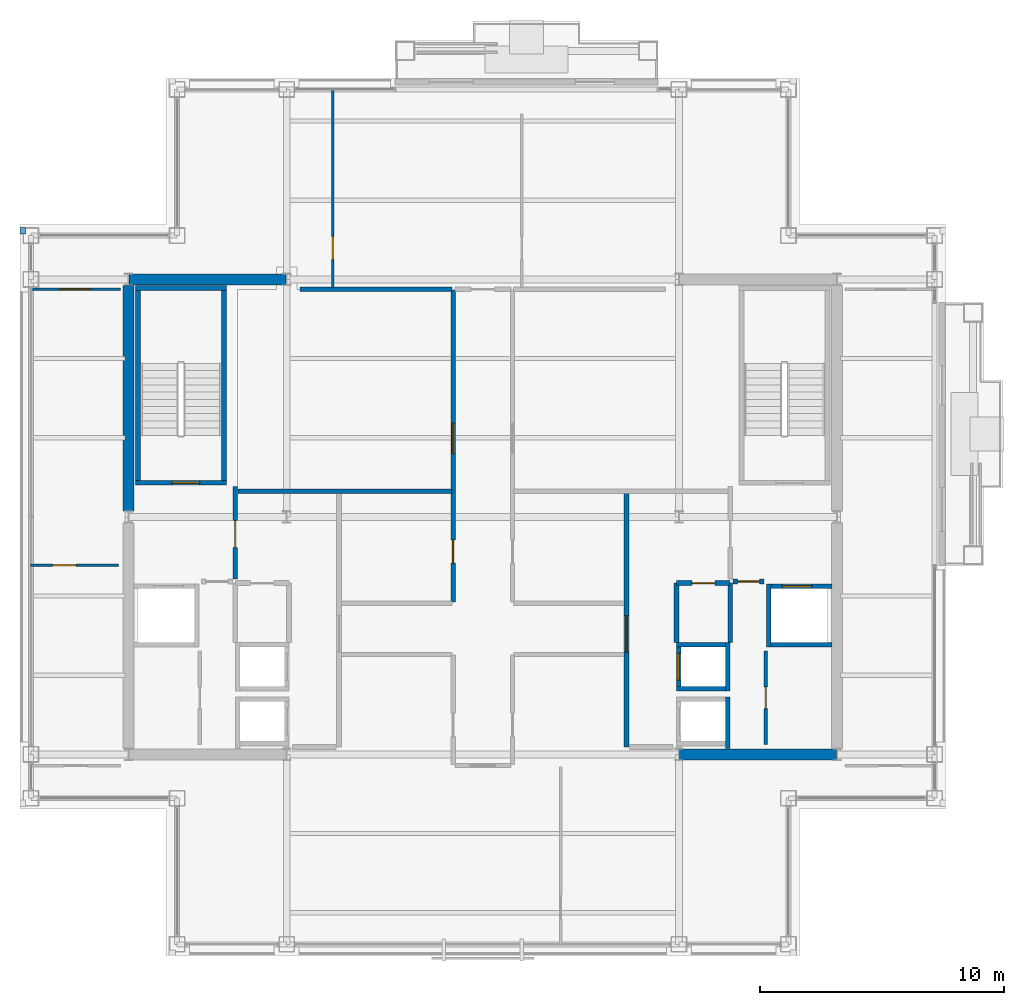
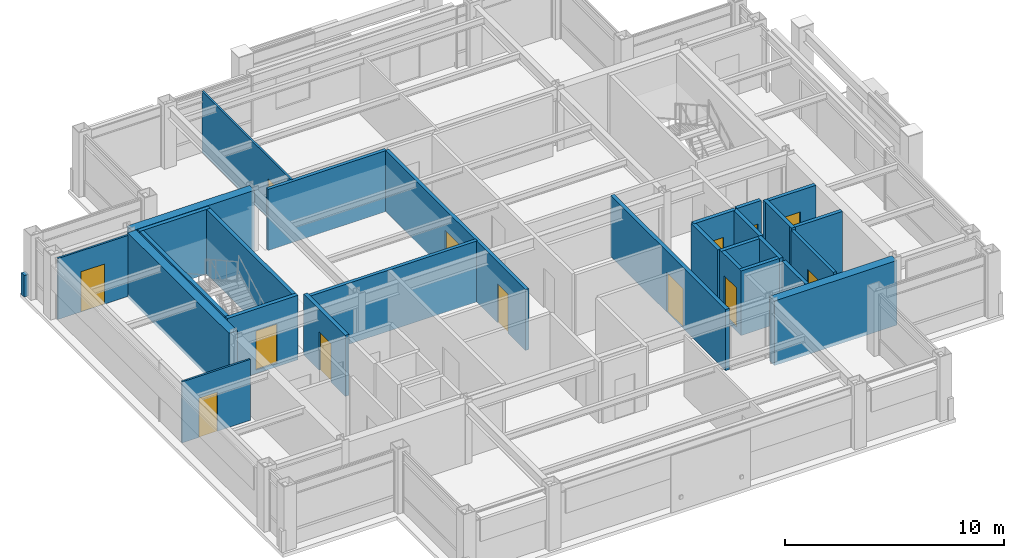
# One storey, part 20 of 23: 29 walls, 13 doors, 13 openings.
"""IFC4 building model written with IfcOpenShell, lengths in metres."""

import ifcopenshell
import ifcopenshell.guid

model = None  # the IFC model being written
_history = None  # IfcOwnerHistory: only IFC2X3 demands one
_inside = {}  # id of a spatial element -> (the spatial element, [elements in it])
_under = {}  # id of a project, library or spatial element -> (it, [spatial elements below it])
_declared = {}  # id of a project -> (the project, [libraries it declares])
_typed = {}  # id of a type object -> (the type object, [elements of that type])
_made_of = {}  # id of a material, layer set ... -> (it, [elements and type objects made of it])


def new_model(schema):
    """Start an empty IFC model of exactly this schema.

    Asked for "IFC4X3", IfcOpenShell would pick the latest addendum, in which some entities
    have other attributes; the version numbers below select the first issue.
    IFC2X3 requires an IfcOwnerHistory on every rooted entity: one is made here for all.
    """
    global model, _history
    if schema == "IFC4X3":
        model = ifcopenshell.file(schema_version=(4, 3, 0, 0))
    else:
        model = ifcopenshell.file(schema=schema)
    _inside.clear()
    _under.clear()
    _declared.clear()
    _typed.clear()
    _made_of.clear()
    _history = None
    if model.schema == "IFC2X3":
        org = make("IfcOrganization", Name="unknown")
        user = make(
            "IfcPersonAndOrganization",
            ThePerson=make("IfcPerson", FamilyName="unknown"),
            TheOrganization=org,
        )
        app = make(
            "IfcApplication",
            ApplicationDeveloper=org,
            Version="unknown",
            ApplicationFullName="unknown",
            ApplicationIdentifier="unknown",
        )
        _history = make(
            "IfcOwnerHistory",
            OwningUser=user,
            OwningApplication=app,
            ChangeAction="ADDED",
            CreationDate=0,
        )
    return model


def make(cls, **values):
    """One entity of the class cls with the attributes given. An attribute that is None is left unset."""
    return model.create_entity(
        cls, **{name: value for name, value in values.items() if value is not None}
    )


def rooted(cls, **values):
    """An entity with a GlobalId (a new one), such as an element, a storey or a relation."""
    return make(cls, GlobalId=ifcopenshell.guid.new(), OwnerHistory=_history, **values)


def si_unit(unit_type, name, prefix=None):
    """IfcSIUnit, for example si_unit("LENGTHUNIT", "METRE", prefix="MILLI")."""
    return make("IfcSIUnit", UnitType=unit_type, Prefix=prefix, Name=name)


def assignment(units):
    """IfcUnitAssignment: the units of a project."""
    return None if units is None else make("IfcUnitAssignment", Units=units)


def point(xyz):
    """IfcCartesianPoint."""
    return None if xyz is None else make("IfcCartesianPoint", Coordinates=xyz)


def direction(xyz):
    """IfcDirection."""
    return None if xyz is None else make("IfcDirection", DirectionRatios=xyz)


def frame(location, z_axis=None, x_axis=None):
    """IfcAxis2Placement3D, a coordinate frame: its origin and axes. An axis left out is left unset."""
    return make(
        "IfcAxis2Placement3D",
        Location=point(location),
        Axis=direction(z_axis),
        RefDirection=direction(x_axis),
    )


def frame_2d(location, x_axis=None):
    """IfcAxis2Placement2D, a coordinate frame in the plane: its origin and x axis."""
    return make(
        "IfcAxis2Placement2D", Location=point(location), RefDirection=direction(x_axis)
    )


def origin():
    """The frame at (0, 0, 0) with its axes left unset."""
    return frame((0.0, 0.0, 0.0))


def place(relative_to, where):
    """IfcLocalPlacement: puts the frame where relative to a parent placement (None: the world)."""
    return make(
        "IfcLocalPlacement", PlacementRelTo=relative_to, RelativePlacement=where
    )


def context(
    kind, dimensions, precision=None, world=None, true_north=None, identifier=None
):
    """IfcGeometricRepresentationContext, for example the 3D "Model" context."""
    return make(
        "IfcGeometricRepresentationContext",
        ContextIdentifier=identifier,
        ContextType=kind,
        CoordinateSpaceDimension=dimensions,
        Precision=precision,
        WorldCoordinateSystem=world,
        TrueNorth=true_north,
    )


def subcontext(parent, identifier, kind, view, scale=None):
    """IfcGeometricRepresentationSubContext, for example "Body" below "Model"."""
    return make(
        "IfcGeometricRepresentationSubContext",
        ContextIdentifier=identifier,
        ContextType=kind,
        ParentContext=parent,
        TargetScale=scale,
        TargetView=view,
    )


def project(units=None, contexts=None):
    """IfcProject with its units and contexts."""
    return rooted(
        "IfcProject",
        Name="project",
        RepresentationContexts=contexts,
        UnitsInContext=assignment(units),
    )


def spatial(cls, under=None, at=None, **own):
    """A site, building, storey or space (cls), placed at a placement, below another one or the project."""
    s = rooted(cls, ObjectPlacement=at, **own)
    if under is not None:
        _under.setdefault(under.id(), (under, []))[1].append(s)
    return s


def profile(cls, at=None, kind="AREA", **sizes):
    """A parametric profile (cls). Its sizes go by their IFC names, for example OverallWidth=200.0."""
    return make(cls, ProfileType=kind, Position=at, **sizes)


def rectangle(**sizes):
    """IfcRectangleProfileDef."""
    return profile("IfcRectangleProfileDef", **sizes)


def extrude(swept, where, along, depth):
    """IfcExtrudedAreaSolid: the profile swept, set in the frame where, extruded along a direction by depth."""
    return make(
        "IfcExtrudedAreaSolid",
        SweptArea=swept,
        Position=where,
        ExtrudedDirection=direction(along),
        Depth=depth,
    )


def shape(context_of_items, identifier, shape_type, items):
    """IfcShapeRepresentation: the items that make up one representation, for example the "Body"."""
    return make(
        "IfcShapeRepresentation",
        ContextOfItems=context_of_items,
        RepresentationIdentifier=identifier,
        RepresentationType=shape_type,
        Items=items,
    )


def material(Name=None, Category=None):
    """IfcMaterial."""
    return make("IfcMaterial", Name=Name, Category=Category)


def layer(
    of_material, thickness, ventilated=None, Name=None, Category=None, Priority=None
):
    """IfcMaterialLayer: one layer of a wall or slab, of a material (None: an air gap)."""
    return make(
        "IfcMaterialLayer",
        Material=of_material,
        LayerThickness=thickness,
        IsVentilated=ventilated,
        Name=Name,
        Category=Category,
        Priority=Priority,
    )


def layer_set(layers, Name=None):
    """IfcMaterialLayerSet."""
    return make("IfcMaterialLayerSet", MaterialLayers=layers, LayerSetName=Name)


def made_of(thing, what):
    """Note that an element or type object is made of a material, layer set ...; save() writes the relation."""
    if what is not None:
        _made_of.setdefault(what.id(), (what, []))[1].append(thing)
    return thing


def type_object(cls, material=None, **own):
    """A type object (cls), such as IfcWallType, which elements share."""
    return made_of(rooted(cls, **own), material)


def element(
    cls,
    number,
    at=None,
    inside=None,
    cuts=None,
    type_object=None,
    material=None,
    context=None,
    identifier="Body",
    shape_type=None,
    held_by="IfcProductDefinitionShape",
    body=None,
    shapes=None,
    **own,
):
    """One element of the class cls, such as IfcWall. Its Tag is "e" and its number.

    at: its placement. inside: the storey or other place that contains it. cuts: it is an
    opening in that element (IfcRelVoidsElement). A single representation is given by context,
    identifier, shape_type and body (its items); several are given by shapes. held_by: the class
    of the entity that holds the representations. save() writes the other relations.
    """
    e = rooted(cls, Tag="e%d" % number, ObjectPlacement=at, **own)
    if body is not None:
        shapes = [shape(context, identifier, shape_type, body)]
    if shapes is not None:
        e.Representation = make(held_by, Representations=shapes)
    if inside is not None:
        _inside.setdefault(inside.id(), (inside, []))[1].append(e)
    if cuts is not None:
        rooted(
            "IfcRelVoidsElement", RelatingBuildingElement=cuts, RelatedOpeningElement=e
        )
    if type_object is not None:
        _typed.setdefault(type_object.id(), (type_object, []))[1].append(e)
    return made_of(e, material)


def fill(opening, filler):
    """IfcRelFillsElement: the door or window that sits in an opening."""
    return rooted(
        "IfcRelFillsElement",
        RelatingOpeningElement=opening,
        RelatedBuildingElement=filler,
    )


def aggregate(whole, parts):
    """IfcRelAggregates: a whole, such as a stair, and the parts it consists of."""
    return rooted("IfcRelAggregates", RelatingObject=whole, RelatedObjects=parts)


def save(model, path):
    """Write the relations noted so far, then the file.

    IfcRelAggregates (storeys below a building ...), IfcRelContainedInSpatialStructure (elements
    in a storey), IfcRelDefinesByType, IfcRelAssociatesMaterial and IfcRelDeclares: one each for
    every whole, place, type object, material and project.
    """
    for whole, parts in _under.values():
        aggregate(whole, parts)
    for where, things in _inside.values():
        rooted(
            "IfcRelContainedInSpatialStructure",
            RelatedElements=things,
            RelatingStructure=where,
        )
    for kind, things in _typed.values():
        rooted("IfcRelDefinesByType", RelatedObjects=things, RelatingType=kind)
    for what, things in _made_of.values():
        rooted("IfcRelAssociatesMaterial", RelatedObjects=things, RelatingMaterial=what)
    for by, libraries in _declared.values():
        rooted("IfcRelDeclares", RelatingContext=by, RelatedDefinitions=libraries)
    model.write(path)


model = new_model("IFC4")

# Units and contexts
model_context = context("Model", 3, precision=1e-05, world=origin(), true_north=direction((0.0, 1.0)))
body_context = subcontext(model_context, "Body", "Model", "MODEL_VIEW")
ifc_project = project(units=[si_unit("LENGTHUNIT", "METRE"), si_unit("AREAUNIT", "SQUARE_METRE"), si_unit("VOLUMEUNIT", "CUBIC_METRE"), si_unit("PLANEANGLEUNIT", "RADIAN"), si_unit("MASSUNIT", "GRAM", prefix="KILO")], contexts=[model_context])

# Site, building, storey
site_placement = place(None, origin())
site = spatial("IfcSite", under=ifc_project, at=site_placement, CompositionType="ELEMENT")
building_placement = place(site_placement, origin())
building = spatial("IfcBuilding", under=site, at=building_placement, Name="Brelmoor Portico Tower", CompositionType="ELEMENT")
storey_placement = place(building_placement, frame((0.0, 0.0, 222.0)))
storey = spatial("IfcBuildingStorey", under=building, at=storey_placement, Name="L58", CompositionType="ELEMENT", Elevation=222.0)

# Walls
ifc_material_1 = material(Name="Concrete C50", Category="concrete")
ifc_layer_1 = layer(ifc_material_1, 0.449951171875)
ifc_layer_set_1 = layer_set([ifc_layer_1], Name="Concrete C50")
wall_type_1 = type_object("IfcWallType", Name="WL-CORE-450", PredefinedType="SHEAR", material=ifc_layer_set_1)
wall_1_placement = place(storey_placement, frame((-14.530029296875, 9.75, -0.199951171875), z_axis=(0.0, 0.0, 1.0), x_axis=(1.0, 0.0, 0.0)))
element("IfcWall", 1, at=wall_1_placement, inside=storey, type_object=wall_type_1, Name="L58 WC North Shear Wall", PredefinedType="SHEAR", context=body_context, shape_type="SweptSolid", body=[
    extrude(rectangle(XDim=6.4599609375, YDim=0.449951171875, at=frame_2d((3.22998046875, 0.0))), origin(), (0.0, 0.0, 1.0), 3.599853515625),
])
wall_2_placement = place(storey_placement, frame((-14.550048828125, 0.25, -0.199951171875), z_axis=(0.0, 0.0, 1.0), x_axis=(0.0, 1.0, 0.0)))
element("IfcWall", 2, at=wall_2_placement, inside=storey, type_object=wall_type_1, Name="L58 WC Outer North Shear Wall", PredefinedType="SHEAR", context=body_context, shape_type="SweptSolid", body=[
    extrude(rectangle(XDim=9.25, YDim=0.449951171875, at=frame_2d((4.625, 0.0))), origin(), (0.0, 0.0, 1.0), 3.599853515625),
])
wall_3_placement = place(storey_placement, frame((8.070068359375, -9.75, -0.199951171875), z_axis=(0.0, 0.0, 1.0), x_axis=(1.0, 0.0, 0.0)))
element("IfcWall", 3, at=wall_3_placement, inside=storey, type_object=wall_type_1, Name="L58 EC South Shear Wall", PredefinedType="SHEAR", context=body_context, shape_type="SweptSolid", body=[
    extrude(rectangle(XDim=6.4599609375, YDim=0.449951171875, at=frame_2d((3.22998046875, 0.0))), origin(), (0.0, 0.0, 1.0), 3.599853515625),
])
ifc_material_2 = material(Name="Concrete C40 Parapet Upstand", Category="concrete")
ifc_layer_2 = layer(ifc_material_2, 0.219970703125)
ifc_layer_set_2 = layer_set([ifc_layer_2], Name="Concrete C40 Parapet Upstand")
wall_type_2 = type_object("IfcWallType", Name="WL-PARAPET-220", PredefinedType="PARAPET", material=ifc_layer_set_2)
wall_4_placement = place(storey_placement, frame((-18.889892578125, 11.6201171875, 0.0), z_axis=(0.0, 0.0, 1.0), x_axis=(0.0, 1.0, 0.0)))
element("IfcWall", 4, at=wall_4_placement, inside=storey, type_object=wall_type_2, Name="L58 Chamfer Vertex Parapet Pier NW2", PredefinedType="PARAPET", context=body_context, shape_type="SweptSolid", body=[
    extrude(rectangle(XDim=0.269775390625, YDim=0.219970703125, at=frame_2d((0.134765625, 0.0))), origin(), (0.0, 0.0, 1.0), 1.199951171875),
])

# Wall, opening, door
ifc_material_3 = material(Name="Demountable Glazed Office Partition", Category="aluminium")
ifc_layer_3 = layer(ifc_material_3, 0.10009765625)
ifc_layer_set_3 = layer_set([ifc_layer_3], Name="Demountable Glazed Office Partition")
wall_type_3 = type_object("IfcWallType", Name="WL-PART-100", PredefinedType="PARTITIONING", material=ifc_layer_set_3)
wall_5_placement = place(storey_placement, frame((-6.161376953125, 9.409912109375, 0.0), z_axis=(0.0, 0.0, 1.0), x_axis=(0.0, 1.0, 0.0)))
wall_5 = element("IfcWall", 5, at=wall_5_placement, inside=storey, type_object=wall_type_3, Name="L58 North Suite Partition 1", PredefinedType="PARTITIONING", context=body_context, shape_type="SweptSolid", body=[
    extrude(rectangle(XDim=8.150146484375, YDim=0.10009765625, at=frame_2d((4.0751953125, 0.0))), origin(), (0.0, 0.0, 1.0), 3.39990234375),
])
opening_1_placement = place(wall_5_placement, frame((1.14990234375, 0.0, 0.0)))
opening_1 = element("IfcOpeningElement", 6, at=opening_1_placement, cuts=wall_5, Name="Opening D-IN2", PredefinedType="OPENING", context=body_context, shape_type="SweptSolid", body=[
    extrude(rectangle(XDim=0.9599609375, YDim=2.179931640625, at=frame_2d((0.47998046875, 1.08984375))), frame((0.0, 0.06005859375, 0.0), z_axis=(0.0, -1.0, 0.0), x_axis=(1.0, 0.0, 0.0)), (0.0, 0.0, 1.0), 0.1201171875),
])
ifc_material_4 = material(Name="Lacquered Timber Suite Door", Category="wood")
door_type_1 = type_object("IfcDoorType", Name="DR-INT-950", OperationType="NOTDEFINED", PredefinedType="DOOR", material=ifc_material_4)
door_1_placement = place(opening_1_placement, origin())
door_1 = element("IfcDoor", 7, at=door_1_placement, inside=storey, type_object=door_type_1, Name="D-2415 L58 North Suite Connecting Door 1", OperationType="SINGLE_SWING_LEFT", OverallHeight=2.179931640625, OverallWidth=0.9599609375, PredefinedType="DOOR", context=body_context, shape_type="SweptSolid", body=[
    extrude(rectangle(XDim=0.9599609375, YDim=2.179931640625, at=frame_2d((0.47998046875, 1.08984375))), frame((0.0, 0.02490234375, 0.0), z_axis=(0.0, -1.0, 0.0), x_axis=(1.0, 0.0, 0.0)), (0.0, 0.0, 1.0), 0.050048828125),
])
fill(opening_1, door_1)

wall_6_placement = place(storey_placement, frame((-18.56005859375, 9.35009765625, 0.0), z_axis=(0.0, 0.0, 1.0), x_axis=(1.0, 0.0, 0.0)))
wall_6 = element("IfcWall", 8, at=wall_6_placement, inside=storey, type_object=wall_type_3, Name="L58 North Wing Suite Wall WL", PredefinedType="PARTITIONING", context=body_context, shape_type="SweptSolid", body=[
    extrude(rectangle(XDim=3.68017578125, YDim=0.10009765625, at=frame_2d((1.840087890625, 0.0))), origin(), (0.0, 0.0, 1.0), 3.39990234375),
])
opening_2_placement = place(wall_6_placement, frame((1.219970703125, 0.0, 0.0)))
opening_2 = element("IfcOpeningElement", 9, at=opening_2_placement, cuts=wall_6, Name="Opening D-SU1", PredefinedType="OPENING", context=body_context, shape_type="SweptSolid", body=[
    extrude(rectangle(XDim=1.239990234375, YDim=2.239990234375, at=frame_2d((0.6201171875, 1.1201171875))), frame((0.0, 0.06005859375, 0.0), z_axis=(0.0, -1.0, 0.0), x_axis=(1.0, 0.0, 0.0)), (0.0, 0.0, 1.0), 0.1201171875),
])
ifc_material_5 = material(Name="Glazed Timber Executive Suite Door", Category="wood")
door_type_2 = type_object("IfcDoorType", Name="DR-SUITE-1200", OperationType="NOTDEFINED", PredefinedType="DOOR", material=ifc_material_5)
door_2_placement = place(opening_2_placement, origin())
door_2 = element("IfcDoor", 10, at=door_2_placement, inside=storey, type_object=door_type_2, Name="D-2418 L58 WL Wing Suite Connecting Door", OperationType="SINGLE_SWING_RIGHT", OverallHeight=2.239990234375, OverallWidth=1.239990234375, PredefinedType="DOOR", context=body_context, shape_type="SweptSolid", body=[
    extrude(rectangle(XDim=1.239990234375, YDim=2.239990234375, at=frame_2d((0.6201171875, 1.1201171875))), frame((0.0, 0.02490234375, 0.0), z_axis=(0.0, -1.0, 0.0), x_axis=(1.0, 0.0, 0.0)), (0.0, 0.0, 1.0), 0.050048828125),
])
fill(opening_2, door_2)

wall_7_placement = place(storey_placement, frame((-18.56005859375, -1.98193359375, 0.0), z_axis=(0.0, 0.0, 1.0), x_axis=(1.0, 0.0, 0.0)))
wall_7 = element("IfcWall", 11, at=wall_7_placement, inside=storey, type_object=wall_type_3, Name="L58 W Wing Partition 1", PredefinedType="PARTITIONING", context=body_context, shape_type="SweptSolid", body=[
    extrude(rectangle(XDim=3.60009765625, YDim=0.10009765625, at=frame_2d((1.800048828125, 0.0))), origin(), (0.0, 0.0, 1.0), 3.39990234375),
])
opening_3_placement = place(wall_7_placement, frame((0.89990234375, 0.0, 0.0)))
opening_3 = element("IfcOpeningElement", 12, at=opening_3_placement, cuts=wall_7, Name="Opening D-IN2", PredefinedType="OPENING", context=body_context, shape_type="SweptSolid", body=[
    extrude(rectangle(XDim=0.9599609375, YDim=2.179931640625, at=frame_2d((0.47998046875, 1.08984375))), frame((0.0, 0.06005859375, 0.0), z_axis=(0.0, -1.0, 0.0), x_axis=(1.0, 0.0, 0.0)), (0.0, 0.0, 1.0), 0.1201171875),
])
door_3_placement = place(opening_3_placement, origin())
door_3 = element("IfcDoor", 13, at=door_3_placement, inside=storey, type_object=door_type_1, Name="D-2427 L58 W Wing Suite Connecting Door 1", OperationType="SINGLE_SWING_RIGHT", OverallHeight=2.179931640625, OverallWidth=0.9599609375, PredefinedType="DOOR", context=body_context, shape_type="SweptSolid", body=[
    extrude(rectangle(XDim=0.9599609375, YDim=2.179931640625, at=frame_2d((0.47998046875, 1.08984375))), frame((0.0, 0.02490234375, 0.0), z_axis=(0.0, -1.0, 0.0), x_axis=(1.0, 0.0, 0.0)), (0.0, 0.0, 1.0), 0.050048828125),
])
fill(opening_3, door_3)

ifc_material_6 = material(Name="Twin-Frame Acoustic Partition", Category="gypsum")
ifc_layer_4 = layer(ifc_material_6, 0.159912109375)
ifc_layer_set_4 = layer_set([ifc_layer_4], Name="Twin-Frame Acoustic Partition")
wall_type_4 = type_object("IfcWallType", Name="WL-PART-160", PredefinedType="PARTITIONING", material=ifc_layer_set_4)
wall_8_placement = place(storey_placement, frame((11.6201171875, -9.35009765625, 0.0), z_axis=(0.0, 0.0, 1.0), x_axis=(0.0, 1.0, 0.0)))
wall_8 = element("IfcWall", 14, at=wall_8_placement, inside=storey, type_object=wall_type_4, Name="L58 E Core Service Front Wall", PredefinedType="PARTITIONING", context=body_context, shape_type="SweptSolid", body=[
    extrude(rectangle(XDim=3.85009765625, YDim=0.159912109375, at=frame_2d((1.925048828125, 0.0))), origin(), (0.0, 0.0, 1.0), 3.39990234375),
])
opening_4_placement = place(wall_8_placement, frame((1.47509765625, 0.0, 0.0)))
opening_4 = element("IfcOpeningElement", 15, at=opening_4_placement, cuts=wall_8, Name="Opening D-IN1", PredefinedType="OPENING", context=body_context, shape_type="SweptSolid", body=[
    extrude(rectangle(XDim=0.89990234375, YDim=2.14990234375, at=frame_2d((0.449951171875, 1.074951171875))), frame((0.0, 0.08984375, 0.0), z_axis=(0.0, -1.0, 0.0), x_axis=(1.0, 0.0, 0.0)), (0.0, 0.0, 1.0), 0.179931640625),
])
door_type_3 = type_object("IfcDoorType", Name="DR-INT-900", OperationType="NOTDEFINED", PredefinedType="DOOR", material=ifc_material_4)
door_4_placement = place(opening_4_placement, origin())
door_4 = element("IfcDoor", 16, at=door_4_placement, inside=storey, type_object=door_type_3, Name="D-2404 L58 E Male WC Door", OperationType="SINGLE_SWING_RIGHT", OverallHeight=2.14990234375, OverallWidth=0.89990234375, PredefinedType="DOOR", context=body_context, shape_type="SweptSolid", body=[
    extrude(rectangle(XDim=0.89990234375, YDim=2.14990234375, at=frame_2d((0.449951171875, 1.074951171875))), frame((0.0, 0.02490234375, 0.0), z_axis=(0.0, -1.0, 0.0), x_axis=(1.0, 0.0, 0.0)), (0.0, 0.0, 1.0), 0.050048828125),
])
fill(opening_4, door_4)

# Wall
ifc_material_7 = material(Name="Acoustic Corridor Fire Partition", Category="gypsum")
ifc_layer_5 = layer(ifc_material_7, 0.179931640625)
ifc_layer_set_5 = layer_set([ifc_layer_5], Name="Acoustic Corridor Fire Partition")
wall_type_5 = type_object("IfcWallType", Name="WL-PART-180", PredefinedType="PARTITIONING", material=ifc_layer_set_5)
wall_9_placement = place(storey_placement, frame((-10.050048828125, 1.050048828125, 0.0), z_axis=(0.0, 0.0, 1.0), x_axis=(1.0, 0.0, 0.0)))
element("IfcWall", 17, at=wall_9_placement, inside=storey, type_object=wall_type_5, Name="L58 West Reclaimed Suite South Wall", PredefinedType="PARTITIONING", context=body_context, shape_type="SweptSolid", body=[
    extrude(rectangle(XDim=8.7900390625, YDim=0.179931640625, at=frame_2d((4.39501953125, 0.0))), origin(), (0.0, 0.0, 1.0), 3.39990234375),
])

# Wall, openings, doors
wall_10_placement = place(storey_placement, frame((-1.219970703125, -3.5, 0.0), z_axis=(0.0, 0.0, 1.0), x_axis=(0.0, 1.0, 0.0)))
wall_10 = element("IfcWall", 18, at=wall_10_placement, inside=storey, type_object=wall_type_5, Name="L58 Central Cross West Wall", PredefinedType="PARTITIONING", context=body_context, shape_type="SweptSolid", body=[
    extrude(rectangle(XDim=12.81005859375, YDim=0.179931640625, at=frame_2d((6.405029296875, 0.0))), origin(), (0.0, 0.0, 1.0), 3.39990234375),
])
opening_5_placement = place(wall_10_placement, frame((6.10009765625, 0.0, 0.0)))
opening_5 = element("IfcOpeningElement", 19, at=opening_5_placement, cuts=wall_10, Name="Opening D-SU1", PredefinedType="OPENING", context=body_context, shape_type="SweptSolid", body=[
    extrude(rectangle(XDim=1.239990234375, YDim=2.239990234375, at=frame_2d((0.6201171875, 1.1201171875))), frame((0.0, 0.099853515625, 0.0), z_axis=(0.0, -1.0, 0.0), x_axis=(1.0, 0.0, 0.0)), (0.0, 0.0, 1.0), 0.199951171875),
])
opening_6_placement = place(wall_10_placement, frame((1.60009765625, 0.0, 0.0)))
opening_6 = element("IfcOpeningElement", 20, at=opening_6_placement, cuts=wall_10, Name="Opening D-IN2", PredefinedType="OPENING", context=body_context, shape_type="SweptSolid", body=[
    extrude(rectangle(XDim=0.9599609375, YDim=2.179931640625, at=frame_2d((0.47998046875, 1.08984375))), frame((0.0, 0.099853515625, 0.0), z_axis=(0.0, -1.0, 0.0), x_axis=(1.0, 0.0, 0.0)), (0.0, 0.0, 1.0), 0.199951171875),
])
door_5_placement = place(opening_6_placement, origin())
door_5 = element("IfcDoor", 21, at=door_5_placement, inside=storey, type_object=door_type_1, Name="D-2402 L58 Staff Pantry Door", OperationType="SINGLE_SWING_RIGHT", OverallHeight=2.179931640625, OverallWidth=0.9599609375, PredefinedType="DOOR", context=body_context, shape_type="SweptSolid", body=[
    extrude(rectangle(XDim=0.9599609375, YDim=2.179931640625, at=frame_2d((0.47998046875, 1.08984375))), frame((0.0, 0.02490234375, 0.0), z_axis=(0.0, -1.0, 0.0), x_axis=(1.0, 0.0, 0.0)), (0.0, 0.0, 1.0), 0.050048828125),
])
fill(opening_6, door_5)
door_6_placement = place(opening_5_placement, origin())
door_6 = element("IfcDoor", 22, at=door_6_placement, inside=storey, type_object=door_type_2, Name="D-2403 L58 West Reclaimed Studio Door", OperationType="SINGLE_SWING_LEFT", OverallHeight=2.239990234375, OverallWidth=1.239990234375, PredefinedType="DOOR", context=body_context, shape_type="SweptSolid", body=[
    extrude(rectangle(XDim=1.239990234375, YDim=2.239990234375, at=frame_2d((0.6201171875, 1.1201171875))), frame((0.0, 0.02490234375, 0.0), z_axis=(0.0, -1.0, 0.0), x_axis=(1.0, 0.0, 0.0)), (0.0, 0.0, 1.0), 0.050048828125),
])
fill(opening_5, door_6)

# Wall
wall_11_placement = place(storey_placement, frame((-7.5, 9.35009765625, 0.0), z_axis=(0.0, 0.0, 1.0), x_axis=(1.0, 0.0, 0.0)))
element("IfcWall", 23, at=wall_11_placement, inside=storey, type_object=wall_type_5, Name="L58 West Reclaimed Suite North Wall", PredefinedType="PARTITIONING", context=body_context, shape_type="SweptSolid", body=[
    extrude(rectangle(XDim=6.239990234375, YDim=0.179931640625, at=frame_2d((3.1201171875, 0.0))), origin(), (0.0, 0.0, 1.0), 3.39990234375),
])

# Wall, opening, door
ifc_material_8 = material(Name="Double-Stud Gypsum Fire Partition", Category="gypsum")
ifc_layer_6 = layer(ifc_material_8, 0.199951171875)
ifc_layer_set_6 = layer_set([ifc_layer_6], Name="Double-Stud Gypsum Fire Partition")
wall_type_6 = type_object("IfcWallType", Name="WL-PART-200", PredefinedType="PARTITIONING", material=ifc_layer_set_6)
wall_12_placement = place(storey_placement, frame((-10.159912109375, -2.550048828125, 0.0), z_axis=(0.0, 0.0, 1.0), x_axis=(0.0, 1.0, 0.0)))
wall_12 = element("IfcWall", 24, at=wall_12_placement, inside=storey, type_object=wall_type_6, Name="L58 W Firefighting Lobby Wall", PredefinedType="PARTITIONING", context=body_context, shape_type="SweptSolid", body=[
    extrude(rectangle(XDim=3.800048828125, YDim=0.199951171875, at=frame_2d((1.89990234375, 0.0))), origin(), (0.0, 0.0, 1.0), 3.39990234375),
])
opening_7_placement = place(wall_12_placement, frame((1.300048828125, 0.0, 0.0)))
opening_7 = element("IfcOpeningElement", 25, at=opening_7_placement, cuts=wall_12, Name="Opening D-FR1", PredefinedType="OPENING", context=body_context, shape_type="SweptSolid", body=[
    extrude(rectangle(XDim=1.10009765625, YDim=2.14990234375, at=frame_2d((0.550048828125, 1.074951171875))), frame((0.0, 0.10986328125, 0.0), z_axis=(0.0, -1.0, 0.0), x_axis=(1.0, 0.0, 0.0)), (0.0, 0.0, 1.0), 0.219970703125),
])
ifc_material_9 = material(Name="Painted Galvanised Steel Fire Door", Category="steel")
door_type_4 = type_object("IfcDoorType", Name="DR-FIRE-1100", OperationType="NOTDEFINED", PredefinedType="DOOR", material=ifc_material_9)
door_7_placement = place(opening_7_placement, origin())
door_7 = element("IfcDoor", 26, at=door_7_placement, inside=storey, type_object=door_type_4, Name="D-2411 L58 W Firefighting Lobby Door", OperationType="SINGLE_SWING_LEFT", OverallHeight=2.14990234375, OverallWidth=1.10009765625, PredefinedType="DOOR", context=body_context, shape_type="SweptSolid", body=[
    extrude(rectangle(XDim=1.10009765625, YDim=2.14990234375, at=frame_2d((0.550048828125, 1.074951171875))), frame((0.0, 0.02490234375, 0.0), z_axis=(0.0, -1.0, 0.0), x_axis=(1.0, 0.0, 0.0)), (0.0, 0.0, 1.0), 0.050048828125),
])
fill(opening_7, door_7)

wall_13_placement = place(storey_placement, frame((5.89990234375, -9.449951171875, 0.0), z_axis=(0.0, 0.0, 1.0), x_axis=(0.0, 1.0, 0.0)))
wall_13 = element("IfcWall", 27, at=wall_13_placement, inside=storey, type_object=wall_type_6, Name="L58 E Core Lobby Compartment Wall", PredefinedType="PARTITIONING", context=body_context, shape_type="SweptSolid", body=[
    extrude(rectangle(XDim=10.5, YDim=0.199951171875, at=frame_2d((5.25, 0.0))), origin(), (0.0, 0.0, 1.0), 3.39990234375),
])
opening_8_placement = place(wall_13_placement, frame((3.89990234375, 0.0, 0.0)))
opening_8 = element("IfcOpeningElement", 28, at=opening_8_placement, cuts=wall_13, Name="Opening D-LB1", PredefinedType="OPENING", context=body_context, shape_type="SweptSolid", body=[
    extrude(rectangle(XDim=1.5, YDim=2.199951171875, at=frame_2d((0.75, 1.10009765625))), frame((0.0, 0.10986328125, 0.0), z_axis=(0.0, -1.0, 0.0), x_axis=(1.0, 0.0, 0.0)), (0.0, 0.0, 1.0), 0.219970703125),
])
ifc_material_10 = material(Name="Double-Leaf Glazed Steel Fire Door", Category="steel")
door_type_5 = type_object("IfcDoorType", Name="DR-LOBBY-1500", OperationType="NOTDEFINED", PredefinedType="DOOR", material=ifc_material_10)
door_8_placement = place(opening_8_placement, origin())
door_8 = element("IfcDoor", 29, at=door_8_placement, inside=storey, type_object=door_type_5, Name="D-2412 L58 E Lift Lobby Main Door", OperationType="DOUBLE_DOOR_SINGLE_SWING", OverallHeight=2.199951171875, OverallWidth=1.5, PredefinedType="DOOR", context=body_context, shape_type="SweptSolid", body=[
    extrude(rectangle(XDim=1.5, YDim=2.199951171875, at=frame_2d((0.75, 1.10009765625))), frame((0.0, 0.02490234375, 0.0), z_axis=(0.0, -1.0, 0.0), x_axis=(1.0, 0.0, 0.0)), (0.0, 0.0, 1.0), 0.050048828125),
])
fill(opening_8, door_8)

wall_14_placement = place(storey_placement, frame((10.280029296875, -2.64990234375, 0.0), z_axis=(0.0, 0.0, 1.0), x_axis=(1.0, 0.0, 0.0)))
wall_14 = element("IfcWall", 30, at=wall_14_placement, inside=storey, type_object=wall_type_6, Name="L58 E Firefighting Lobby South Wall", PredefinedType="PARTITIONING", context=body_context, shape_type="SweptSolid", body=[
    extrude(rectangle(XDim=1.27001953125, YDim=0.199951171875, at=frame_2d((0.635009765625, 0.0))), origin(), (0.0, 0.0, 1.0), 3.39990234375),
])
opening_9_placement = place(wall_14_placement, frame((0.18505859375, 0.0, 0.0)))
opening_9 = element("IfcOpeningElement", 31, at=opening_9_placement, cuts=wall_14, Name="Opening D-IN1", PredefinedType="OPENING", context=body_context, shape_type="SweptSolid", body=[
    extrude(rectangle(XDim=0.89990234375, YDim=2.14990234375, at=frame_2d((0.449951171875, 1.074951171875))), frame((0.0, 0.10986328125, 0.0), z_axis=(0.0, -1.0, 0.0), x_axis=(1.0, 0.0, 0.0)), (0.0, 0.0, 1.0), 0.219970703125),
])
door_9_placement = place(opening_9_placement, origin())
door_9 = element("IfcDoor", 32, at=door_9_placement, inside=storey, type_object=door_type_3, Name="D-2405 L58 E Core Service Vestibule Door", OperationType="SINGLE_SWING_RIGHT", OverallHeight=2.14990234375, OverallWidth=0.89990234375, PredefinedType="DOOR", context=body_context, shape_type="SweptSolid", body=[
    extrude(rectangle(XDim=0.89990234375, YDim=2.14990234375, at=frame_2d((0.449951171875, 1.074951171875))), frame((0.0, 0.02490234375, 0.0), z_axis=(0.0, -1.0, 0.0), x_axis=(1.0, 0.0, 0.0)), (0.0, 0.0, 1.0), 0.050048828125),
])
fill(opening_9, door_9)

wall_15_placement = place(storey_placement, frame((7.9599609375, -2.719970703125, 0.0), z_axis=(0.0, 0.0, 1.0), x_axis=(1.0, 0.0, 0.0)))
wall_15 = element("IfcWall", 33, at=wall_15_placement, inside=storey, type_object=wall_type_6, Name="L58 E Electrical Switchgear Closet Wall", PredefinedType="PARTITIONING", context=body_context, shape_type="SweptSolid", body=[
    extrude(rectangle(XDim=2.199951171875, YDim=0.199951171875, at=frame_2d((1.10009765625, 0.0))), origin(), (0.0, 0.0, 1.0), 3.39990234375),
])
opening_10_placement = place(wall_15_placement, frame((0.6201171875, 0.0, 0.0)))
opening_10 = element("IfcOpeningElement", 34, at=opening_10_placement, cuts=wall_15, Name="Opening D-FR4", PredefinedType="OPENING", context=body_context, shape_type="SweptSolid", body=[
    extrude(rectangle(XDim=0.949951171875, YDim=2.10009765625, at=frame_2d((0.47509765625, 1.050048828125))), frame((0.0, 0.10986328125, 0.0), z_axis=(0.0, -1.0, 0.0), x_axis=(1.0, 0.0, 0.0)), (0.0, 0.0, 1.0), 0.219970703125),
])
ifc_material_11 = material(Name="Painted Galvanised Steel Riser Door", Category="steel")
door_type_6 = type_object("IfcDoorType", Name="DR-FIRE-950", OperationType="NOTDEFINED", PredefinedType="DOOR", material=ifc_material_11)
door_10_placement = place(opening_10_placement, origin())
door_10 = element("IfcDoor", 35, at=door_10_placement, inside=storey, type_object=door_type_6, Name="D-2408 L58 E Electrical Switchgear Closet Door", OperationType="SINGLE_SWING_LEFT", OverallHeight=2.10009765625, OverallWidth=0.949951171875, PredefinedType="DOOR", context=body_context, shape_type="SweptSolid", body=[
    extrude(rectangle(XDim=0.949951171875, YDim=2.10009765625, at=frame_2d((0.47509765625, 1.050048828125))), frame((0.0, 0.02490234375, 0.0), z_axis=(0.0, -1.0, 0.0), x_axis=(1.0, 0.0, 0.0)), (0.0, 0.0, 1.0), 0.050048828125),
])
fill(opening_10, door_10)

# Walls
for number, where, z_axis, x_axis, name in (
    (36, (7.9599609375, -5.159912109375, 0.0), (0.0, 0.0, 1.0), (0.0, 1.0, 0.0), "L58 E Electrical Switchgear Closet Inner Wall"),
    (37, (10.159912109375, -5.159912109375, 0.0), (0.0, 0.0, 1.0), (0.0, 1.0, 0.0), "L58 E Electrical Switchgear Closet Outer Wall"),
):
    element("IfcWall", number, at=place(storey_placement, frame(where, z_axis=z_axis, x_axis=x_axis)), inside=storey, type_object=wall_type_6, Name=name, PredefinedType="PARTITIONING", context=body_context, shape_type="SweptSolid", body=[
        extrude(rectangle(XDim=2.43994140625, YDim=0.199951171875, at=frame_2d((1.219970703125, 0.0))), origin(), (0.0, 0.0, 1.0), 3.39990234375),
    ])
ifc_material_12 = material(Name="Precast Concrete C40", Category="concrete")
ifc_layer_7 = layer(ifc_material_12, 0.18994140625)
ifc_layer_set_7 = layer_set([ifc_layer_7], Name="Precast Concrete C40")
wall_type_7 = type_object("IfcWallType", Name="WL-SHAFT-180", PredefinedType="SOLIDWALL", material=ifc_layer_set_7)
wall_16_placement = place(storey_placement, frame((10.054931640625, -9.52001953125, -0.199951171875), z_axis=(0.0, 0.0, 1.0), x_axis=(0.0, 1.0, 0.0)))
element("IfcWall", 38, at=wall_16_placement, inside=storey, type_object=wall_type_7, Name="L58 Lift PH3 Hoistway Back Wall", PredefinedType="SOLIDWALL", context=body_context, shape_type="SweptSolid", body=[
    extrude(rectangle(XDim=2.1201171875, YDim=0.18994140625, at=frame_2d((1.06005859375, 0.0))), origin(), (0.0, 0.0, 1.0), 3.599853515625),
])

# Wall, opening, door
wall_17_placement = place(storey_placement, frame((8.044921875, -7.14990234375, -0.199951171875), z_axis=(0.0, 0.0, 1.0), x_axis=(0.0, 1.0, 0.0)))
wall_17 = element("IfcWall", 39, at=wall_17_placement, inside=storey, type_object=wall_type_7, Name="L58 Lift PH4 Hoistway Front Wall", PredefinedType="SOLIDWALL", context=body_context, shape_type="SweptSolid", body=[
    extrude(rectangle(XDim=2.0, YDim=0.18994140625, at=frame_2d((1.0, 0.0))), origin(), (0.0, 0.0, 1.0), 3.599853515625),
])
opening_11_placement = place(wall_17_placement, frame((0.449951171875, 0.0, 0.199951171875)))
opening_11 = element("IfcOpeningElement", 40, at=opening_11_placement, cuts=wall_17, Name="Opening LD-01", PredefinedType="OPENING", context=body_context, shape_type="SweptSolid", body=[
    extrude(rectangle(XDim=1.10009765625, YDim=2.199951171875, at=frame_2d((0.550048828125, 1.10009765625))), frame((0.0, 0.10498046875, 0.0), z_axis=(0.0, -1.0, 0.0), x_axis=(1.0, 0.0, 0.0)), (0.0, 0.0, 1.0), 0.2099609375),
])
ifc_material_13 = material(Name="Brushed Stainless Steel Sliding Lift Door", Category="steel")
door_type_7 = type_object("IfcDoorType", Name="DR-LIFT-1100", OperationType="NOTDEFINED", PredefinedType="DOOR", material=ifc_material_13)
door_11_placement = place(opening_11_placement, origin())
door_11 = element("IfcDoor", 41, at=door_11_placement, inside=storey, type_object=door_type_7, Name="D-2433 L58 Lift PH4 Sliding Landing Door", OperationType="SLIDING_TO_LEFT", OverallHeight=2.199951171875, OverallWidth=1.10009765625, PredefinedType="DOOR", context=body_context, shape_type="SweptSolid", body=[
    extrude(rectangle(XDim=1.10009765625, YDim=2.199951171875, at=frame_2d((0.550048828125, 1.10009765625))), frame((0.0, 0.02490234375, 0.0), z_axis=(0.0, -1.0, 0.0), x_axis=(1.0, 0.0, 0.0)), (0.0, 0.0, 1.0), 0.050048828125),
])
fill(opening_11, door_11)

# Walls
wall_18_placement = place(storey_placement, frame((10.054931640625, -7.14990234375, -0.199951171875), z_axis=(0.0, 0.0, 1.0), x_axis=(0.0, 1.0, 0.0)))
element("IfcWall", 42, at=wall_18_placement, inside=storey, type_object=wall_type_7, Name="L58 Lift PH4 Hoistway Back Wall", PredefinedType="SOLIDWALL", context=body_context, shape_type="SweptSolid", body=[
    extrude(rectangle(XDim=2.0, YDim=0.18994140625, at=frame_2d((1.0, 0.0))), origin(), (0.0, 0.0, 1.0), 3.599853515625),
])
for number, where, z_axis, x_axis, name in (
    (43, (7.949951171875, -5.2451171875, -0.199951171875), (0.0, 0.0, 1.0), (1.0, 0.0, 0.0), "L58 Lift PH4 Hoistway North Wall"),
    (44, (7.949951171875, -7.054931640625, -0.199951171875), (0.0, 0.0, 1.0), (1.0, 0.0, 0.0), "L58 Lift PH4 Hoistway South Wall"),
):
    element("IfcWall", number, at=place(storey_placement, frame(where, z_axis=z_axis, x_axis=x_axis)), inside=storey, type_object=wall_type_7, Name=name, PredefinedType="SOLIDWALL", context=body_context, shape_type="SweptSolid", body=[
        extrude(rectangle(XDim=2.199951171875, YDim=0.18994140625, at=frame_2d((1.10009765625, 0.0))), origin(), (0.0, 0.0, 1.0), 3.599853515625),
    ])

# Wall, opening, door
wall_19_placement = place(storey_placement, frame((11.64990234375, -2.844970703125, -0.199951171875), z_axis=(0.0, 0.0, 1.0), x_axis=(1.0, 0.0, 0.0)))
wall_19 = element("IfcWall", 45, at=wall_19_placement, inside=storey, type_object=wall_type_7, Name="L58 Lift FF2 Hoistway Front Wall", PredefinedType="SOLIDWALL", context=body_context, shape_type="SweptSolid", body=[
    extrude(rectangle(XDim=2.68017578125, YDim=0.18994140625, at=frame_2d((1.340087890625, 0.0))), origin(), (0.0, 0.0, 1.0), 3.599853515625),
])
opening_12_placement = place(wall_19_placement, frame((0.64990234375, 0.0, 0.199951171875)))
opening_12 = element("IfcOpeningElement", 46, at=opening_12_placement, cuts=wall_19, Name="Opening LD-02", PredefinedType="OPENING", context=body_context, shape_type="SweptSolid", body=[
    extrude(rectangle(XDim=1.199951171875, YDim=2.199951171875, at=frame_2d((0.60009765625, 1.10009765625))), frame((0.0, 0.10498046875, 0.0), z_axis=(0.0, -1.0, 0.0), x_axis=(1.0, 0.0, 0.0)), (0.0, 0.0, 1.0), 0.2099609375),
])
ifc_material_14 = material(Name="Brushed Stainless Steel Firefighting Lift Door", Category="steel")
door_type_8 = type_object("IfcDoorType", Name="DR-LIFT-1200", OperationType="NOTDEFINED", PredefinedType="DOOR", material=ifc_material_14)
door_12_placement = place(opening_12_placement, origin())
door_12 = element("IfcDoor", 47, at=door_12_placement, inside=storey, type_object=door_type_8, Name="D-2429 L58 Lift FF2 Sliding Landing Door", OperationType="SLIDING_TO_LEFT", OverallHeight=2.199951171875, OverallWidth=1.199951171875, PredefinedType="DOOR", context=body_context, shape_type="SweptSolid", body=[
    extrude(rectangle(XDim=1.199951171875, YDim=2.199951171875, at=frame_2d((0.60009765625, 1.10009765625))), frame((0.0, 0.02490234375, 0.0), z_axis=(0.0, -1.0, 0.0), x_axis=(1.0, 0.0, 0.0)), (0.0, 0.0, 1.0), 0.050048828125),
])
fill(opening_12, door_12)

# Walls
wall_20_placement = place(storey_placement, frame((11.64990234375, -5.2548828125, -0.199951171875), z_axis=(0.0, 0.0, 1.0), x_axis=(1.0, 0.0, 0.0)))
element("IfcWall", 48, at=wall_20_placement, inside=storey, type_object=wall_type_7, Name="L58 Firefighting Lift FF2 South Wall", PredefinedType="SOLIDWALL", context=body_context, shape_type="SweptSolid", body=[
    extrude(rectangle(XDim=2.68017578125, YDim=0.18994140625, at=frame_2d((1.340087890625, 0.0))), origin(), (0.0, 0.0, 1.0), 3.599853515625),
])
wall_21_placement = place(storey_placement, frame((11.7451171875, -5.35009765625, -0.199951171875), z_axis=(0.0, 0.0, 1.0), x_axis=(0.0, 1.0, 0.0)))
element("IfcWall", 49, at=wall_21_placement, inside=storey, type_object=wall_type_7, Name="L58 Firefighting Lift FF2 Inner Wall", PredefinedType="SOLIDWALL", context=body_context, shape_type="SweptSolid", body=[
    extrude(rectangle(XDim=2.60009765625, YDim=0.18994140625, at=frame_2d((1.300048828125, 0.0))), origin(), (0.0, 0.0, 1.0), 3.599853515625),
])
ifc_material_15 = material(Name="Concrete C40", Category="concrete")
ifc_layer_8 = layer(ifc_material_15, 0.199951171875)
ifc_layer_set_8 = layer_set([ifc_layer_8], Name="Concrete C40")
wall_type_8 = type_object("IfcWallType", Name="WL-SHAFT-RC200", PredefinedType="SOLIDWALL", material=ifc_layer_set_8)
wall_22_placement = place(storey_placement, frame((-14.14990234375, 1.5, -0.199951171875), z_axis=(0.0, 0.0, 1.0), x_axis=(0.0, 1.0, 0.0)))
element("IfcWall", 50, at=wall_22_placement, inside=storey, type_object=wall_type_8, Name="L58 ST-W Structural Stair Wall Outer", PredefinedType="SOLIDWALL", context=body_context, shape_type="SweptSolid", body=[
    extrude(rectangle(XDim=7.800048828125, YDim=0.199951171875, at=frame_2d((3.89990234375, 0.0))), origin(), (0.0, 0.0, 1.0), 3.599853515625),
])

# Wall, opening, door
wall_23_placement = place(storey_placement, frame((-14.25, 1.39990234375, -0.199951171875), z_axis=(0.0, 0.0, 1.0), x_axis=(1.0, 0.0, 0.0)))
wall_23 = element("IfcWall", 51, at=wall_23_placement, inside=storey, type_object=wall_type_8, Name="L58 ST-W Structural Stair Wall S", PredefinedType="SOLIDWALL", context=body_context, shape_type="SweptSolid", body=[
    extrude(rectangle(XDim=3.719970703125, YDim=0.199951171875, at=frame_2d((1.85986328125, 0.0))), origin(), (0.0, 0.0, 1.0), 3.599853515625),
])
opening_13_placement = place(wall_23_placement, frame((1.5, 0.0, 0.199951171875)))
opening_13 = element("IfcOpeningElement", 52, at=opening_13_placement, cuts=wall_23, Name="Opening D-ST1", PredefinedType="OPENING", context=body_context, shape_type="SweptSolid", body=[
    extrude(rectangle(XDim=1.1201171875, YDim=2.179931640625, at=frame_2d((0.56005859375, 1.08984375))), frame((0.0, 0.10986328125, 0.0), z_axis=(0.0, -1.0, 0.0), x_axis=(1.0, 0.0, 0.0)), (0.0, 0.0, 1.0), 0.219970703125),
])
door_type_9 = type_object("IfcDoorType", Name="DR-STAIR-1100", OperationType="NOTDEFINED", PredefinedType="DOOR", material=ifc_material_9)
door_13_placement = place(opening_13_placement, origin())
door_13 = element("IfcDoor", 53, at=door_13_placement, inside=storey, type_object=door_type_9, Name="D-2422 L58 ST-W Protected Exit Stair Door", OperationType="SINGLE_SWING_LEFT", OverallHeight=2.179931640625, OverallWidth=1.1201171875, PredefinedType="DOOR", context=body_context, shape_type="SweptSolid", body=[
    extrude(rectangle(XDim=1.1201171875, YDim=2.179931640625, at=frame_2d((0.56005859375, 1.08984375))), frame((0.0, 0.02490234375, 0.0), z_axis=(0.0, -1.0, 0.0), x_axis=(1.0, 0.0, 0.0)), (0.0, 0.0, 1.0), 0.050048828125),
])
fill(opening_13, door_13)

# Walls
wall_24_placement = place(storey_placement, frame((-14.25, 9.39990234375, -0.199951171875), z_axis=(0.0, 0.0, 1.0), x_axis=(1.0, 0.0, 0.0)))
element("IfcWall", 54, at=wall_24_placement, inside=storey, type_object=wall_type_8, Name="L58 ST-W Structural Stair Wall N", PredefinedType="SOLIDWALL", context=body_context, shape_type="SweptSolid", body=[
    extrude(rectangle(XDim=3.719970703125, YDim=0.199951171875, at=frame_2d((1.85986328125, 0.0))), origin(), (0.0, 0.0, 1.0), 3.599853515625),
])
wall_25_placement = place(storey_placement, frame((-10.6298828125, 1.5, -0.199951171875), z_axis=(0.0, 0.0, 1.0), x_axis=(0.0, 1.0, 0.0)))
element("IfcWall", 55, at=wall_25_placement, inside=storey, type_object=wall_type_8, Name="L58 ST-W Structural Stair Wall Inner", PredefinedType="SOLIDWALL", context=body_context, shape_type="SweptSolid", body=[
    extrude(rectangle(XDim=7.800048828125, YDim=0.199951171875, at=frame_2d((3.89990234375, 0.0))), origin(), (0.0, 0.0, 1.0), 3.599853515625),
])

save(model, "model.ifc")
